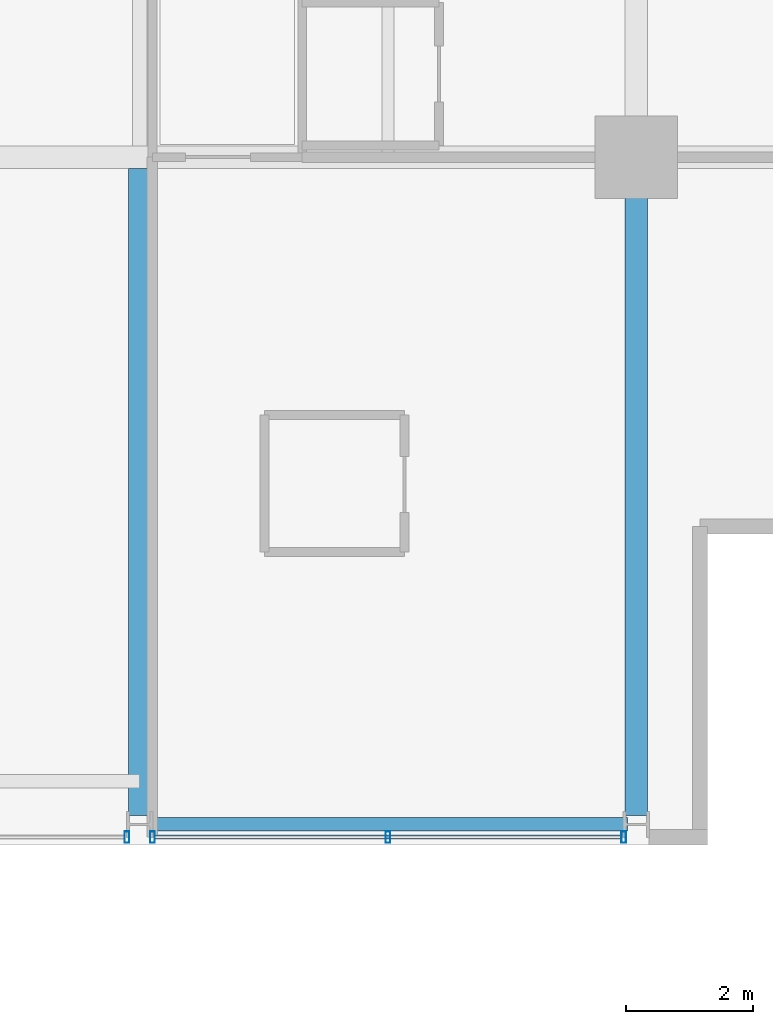
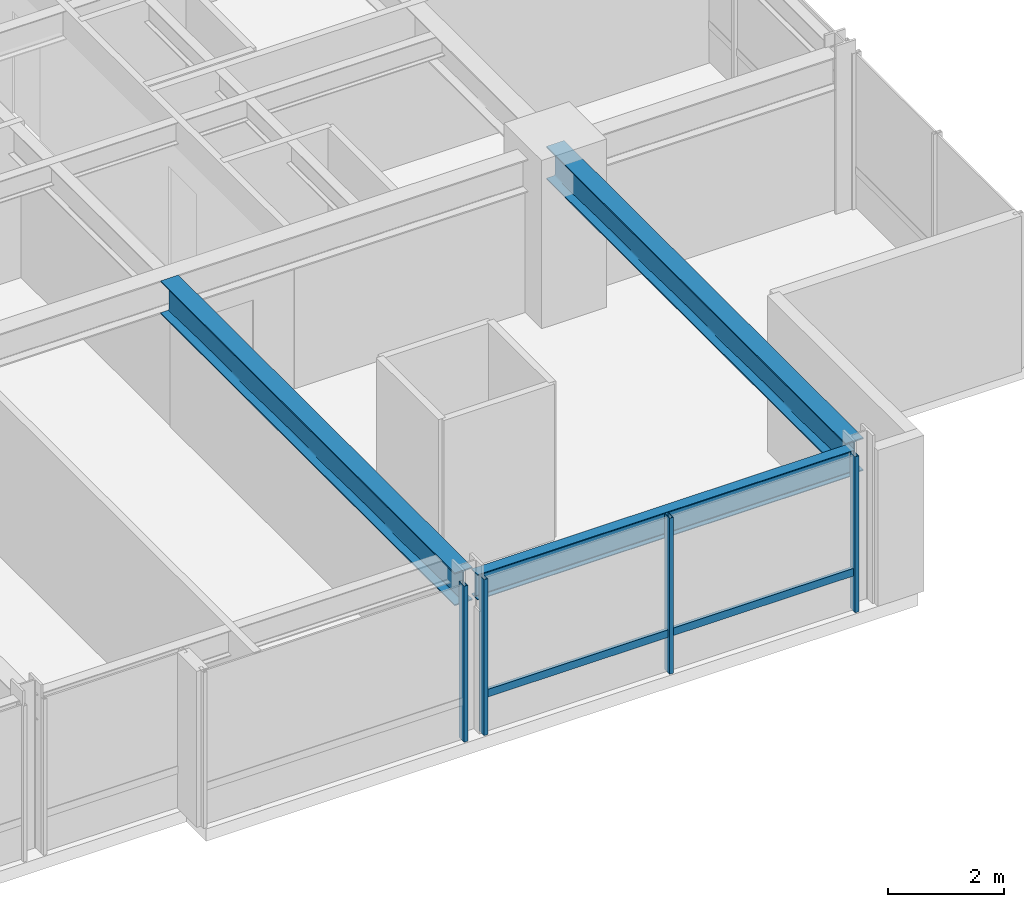
# One storey, part 11 of 32: 5 members, 3 beams, 2 elements without a shape of their own.
"""IFC4 building model written with IfcOpenShell, lengths in metres."""

from ifc_helpers import new_model, si_unit, direction, frame, origin, origin_2d, place, context, subcontext, project, spatial, hollow_rectangle, i_section, extrude, material, layer, layer_set, material_profile, profile_set, type_object, element, aggregate, save


model = new_model("IFC4")

# Units and contexts
model_context = context("Model", 3, precision=1e-05, world=origin(), true_north=direction((0.0, 1.0)))
body_context = subcontext(model_context, "Body", "Model", "MODEL_VIEW")
ifc_project = project(units=[si_unit("LENGTHUNIT", "METRE"), si_unit("AREAUNIT", "SQUARE_METRE"), si_unit("VOLUMEUNIT", "CUBIC_METRE"), si_unit("PLANEANGLEUNIT", "RADIAN"), si_unit("MASSUNIT", "GRAM", prefix="KILO")], contexts=[model_context])

# Site, building, storey
site_placement = place(None, origin())
site = spatial("IfcSite", under=ifc_project, at=site_placement, CompositionType="ELEMENT")
building_placement = place(site_placement, origin())
building = spatial("IfcBuilding", under=site, at=building_placement, Name="Drelvath Grand Hotel", CompositionType="ELEMENT")
storey_placement = place(building_placement, frame((0.0, 0.0, 157.5)))
storey = spatial("IfcBuildingStorey", under=building, at=storey_placement, Name="L40", CompositionType="ELEMENT", Elevation=157.5)

# Curtain wall, member
ifc_material_1 = material(Name="Brushed Pale-Silver Anodised Aluminium Frame", Category="aluminium")
ifc_layer = layer(ifc_material_1, 0.199951171875)
ifc_layer_set = layer_set([ifc_layer], Name="Brushed Pale-Silver Anodised Aluminium Frame")
curtain_wall_type = type_object("IfcCurtainWallType", Name="Stick Curtain Wall CW-04 Brushed Silver Upper-Mid", PredefinedType="NOTDEFINED", material=ifc_layer_set)
curtain_wall_1_placement = place(storey_placement, origin())
curtain_wall_1 = element("IfcCurtainWall", 1, at=curtain_wall_1_placement, inside=storey, type_object=curtain_wall_type, Name="L40 CW-04 Curtain Wall CW04-L40-SE2", PredefinedType="NOTDEFINED")
ifc_material_profile_1 = material_profile(ifc_material_1, hollow_rectangle(XDim=0.06494140625, YDim=0.159912109375, WallThickness=0.00390625, at=origin_2d()), Name="HSS160X65X4")
ifc_profile_set_1 = profile_set([ifc_material_profile_1], Name="Brushed Pale-Silver Anodised Aluminium Frame")
member_type_1 = type_object("IfcMemberType", Name="Curtain Wall Horizontal Transom CW-04 HSS160X65X4", PredefinedType="USERDEFINED", material=ifc_profile_set_1)
member_1_placement = place(storey_placement, frame((15.9599609375, 0.1201171875, 0.822509765625), z_axis=(-1.0, 0.0, 0.0), x_axis=(0.0, -1.0, 0.0)))
member_1 = element("IfcMember", 2, at=member_1_placement, type_object=member_type_1, Name="CW04-L40-SE2 Sill Transom", ObjectType="TRANSOM", PredefinedType="USERDEFINED", context=body_context, shape_type="SweptSolid", body=[
    extrude(hollow_rectangle(XDim=0.06494140625, YDim=0.159912109375, WallThickness=0.00390625, at=origin_2d()), origin(), (0.0, 0.0, 1.0), 7.31982421875),
])

curtain_wall_2_placement = place(storey_placement, origin())
curtain_wall_2 = element("IfcCurtainWall", 3, at=curtain_wall_2_placement, inside=storey, type_object=curtain_wall_type, Name="L40 CW-04 Curtain Wall CW04-L40-SE1", PredefinedType="NOTDEFINED")
ifc_material_profile_2 = material_profile(ifc_material_1, hollow_rectangle(XDim=0.074951171875, YDim=0.179931640625, WallThickness=0.0048828125, at=origin_2d()), Name="HSS180X75X5")
ifc_profile_set_2 = profile_set([ifc_material_profile_2], Name="Brushed Pale-Silver Anodised Aluminium Frame")
member_type_2 = type_object("IfcMemberType", Name="Curtain Wall Vertical Mullion CW-04 HSS180X75X5", PredefinedType="MULLION", material=ifc_profile_set_2)
member_2_placement = place(storey_placement, frame((8.199951171875, 0.1201171875, 0.0), z_axis=(0.0, 0.0, 1.0), x_axis=(1.0, 0.0, 0.0)))
member_2 = element("IfcMember", 4, at=member_2_placement, type_object=member_type_2, Name="CW04-L40-SE1 Mullion 1", PredefinedType="MULLION", context=body_context, shape_type="SweptSolid", body=[
    extrude(hollow_rectangle(XDim=0.074951171875, YDim=0.179931640625, WallThickness=0.0048828125, at=origin_2d()), origin(), (0.0, 0.0, 1.0), 3.2900390625),
])
aggregate(curtain_wall_2, [member_2])

# Member
member_3_placement = place(storey_placement, frame((16.0, 0.1201171875, 0.0), z_axis=(0.0, 0.0, 1.0), x_axis=(1.0, 0.0, 0.0)))
member_3 = element("IfcMember", 5, at=member_3_placement, type_object=member_type_2, Name="CW04-L40-SE2 Mullion 1", PredefinedType="MULLION", context=body_context, shape_type="SweptSolid", body=[
    extrude(hollow_rectangle(XDim=0.074951171875, YDim=0.179931640625, WallThickness=0.0048828125, at=origin_2d()), origin(), (0.0, 0.0, 1.0), 3.2900390625),
])

member_4_placement = place(storey_placement, frame((12.300048828125, 0.1201171875, 0.0), z_axis=(0.0, 0.0, 1.0), x_axis=(1.0, 0.0, 0.0)))
member_4 = element("IfcMember", 6, at=member_4_placement, type_object=member_type_2, Name="CW04-L40-SE2 Mullion 2", PredefinedType="MULLION", context=body_context, shape_type="SweptSolid", body=[
    extrude(hollow_rectangle(XDim=0.074951171875, YDim=0.179931640625, WallThickness=0.0048828125, at=origin_2d()), origin(), (0.0, 0.0, 1.0), 3.2900390625),
])

member_5_placement = place(storey_placement, frame((8.60009765625, 0.1201171875, 0.0), z_axis=(0.0, 0.0, 1.0), x_axis=(1.0, 0.0, 0.0)))
member_5 = element("IfcMember", 7, at=member_5_placement, type_object=member_type_2, Name="CW04-L40-SE2 Mullion 3", PredefinedType="MULLION", context=body_context, shape_type="SweptSolid", body=[
    extrude(hollow_rectangle(XDim=0.074951171875, YDim=0.179931640625, WallThickness=0.0048828125, at=origin_2d()), origin(), (0.0, 0.0, 1.0), 3.2900390625),
])

aggregate(curtain_wall_1, [member_3, member_4, member_5, member_1])

# Beams
ifc_material_2 = material(Name="Steel ASTM A992 Gr 50", Category="steel")
ifc_material_profile_3 = material_profile(ifc_material_2, i_section(OverallWidth=0.210205078125, OverallDepth=0.53662109375, WebThickness=0.010986328125, FlangeThickness=0.017333984375, FilletRadius=0.01806640625, at=origin_2d()), Name="W21X68")
ifc_profile_set_3 = profile_set([ifc_material_profile_3], Name="Steel ASTM A992 Gr 50")
beam_type_1 = type_object("IfcBeamType", Name="Perimeter Spandrel Beam W21X68", PredefinedType="SPANDREL", material=ifc_profile_set_3)
beam_1_placement = place(storey_placement, frame((8.5400390625, 0.320068359375, 3.021484375), z_axis=(1.0, 0.0, 0.0), x_axis=(0.0, 1.0, 0.0)))
element("IfcBeam", 8, at=beam_1_placement, inside=storey, type_object=beam_type_1, Name="L40 Spandrel South E", PredefinedType="SPANDREL", context=body_context, shape_type="SweptSolid", body=[
    extrude(i_section(OverallWidth=0.210205078125, OverallDepth=0.53662109375, WebThickness=0.010986328125, FlangeThickness=0.017333984375, FilletRadius=0.01806640625, at=origin_2d()), origin(), (0.0, 0.0, 1.0), 7.52001953125),
])
ifc_material_profile_4 = material_profile(ifc_material_2, i_section(OverallWidth=0.354736328125, OverallDepth=0.695556640625, WebThickness=0.015380859375, FlangeThickness=0.025146484375, FilletRadius=0.02392578125, at=origin_2d()), Name="W27X146")
ifc_profile_set_4 = profile_set([ifc_material_profile_4], Name="Steel ASTM A992 Gr 50")
beam_type_2 = type_object("IfcBeamType", Name="Primary Floor Girder W27X146", PredefinedType="BEAM", material=ifc_profile_set_4)
beam_2_placement = place(storey_placement, frame((16.199951171875, 0.4599609375, 2.9423828125), z_axis=(0.0, 1.0, 0.0), x_axis=(-1.0, 0.0, 0.0)))
element("IfcBeam", 9, at=beam_2_placement, inside=storey, type_object=beam_type_2, Name="L40 South Grid Girder 7", PredefinedType="BEAM", context=body_context, shape_type="SweptSolid", body=[
    extrude(i_section(OverallWidth=0.354736328125, OverallDepth=0.695556640625, WebThickness=0.015380859375, FlangeThickness=0.025146484375, FilletRadius=0.02392578125, at=origin_2d()), origin(), (0.0, 0.0, 1.0), 10.340087890625),
])
beam_3_placement = place(storey_placement, frame((8.39990234375, 0.4599609375, 2.9423828125), z_axis=(0.0, 1.0, 0.0), x_axis=(-1.0, 0.0, 0.0)))
element("IfcBeam", 10, at=beam_3_placement, inside=storey, type_object=beam_type_2, Name="L40 South Wing Girder 6", PredefinedType="BEAM", context=body_context, shape_type="SweptSolid", body=[
    extrude(i_section(OverallWidth=0.354736328125, OverallDepth=0.695556640625, WebThickness=0.015380859375, FlangeThickness=0.025146484375, FilletRadius=0.02392578125, at=origin_2d()), origin(), (0.0, 0.0, 1.0), 10.16259765625),
])

save(model, "model.ifc")
